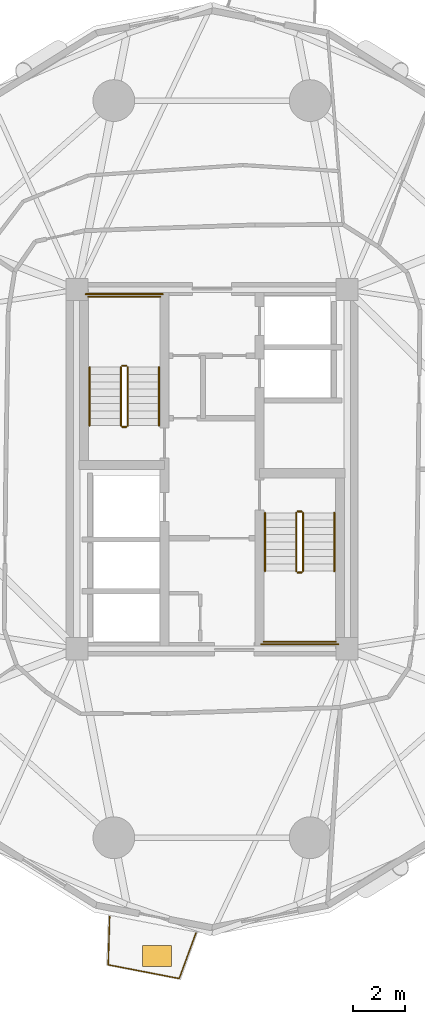
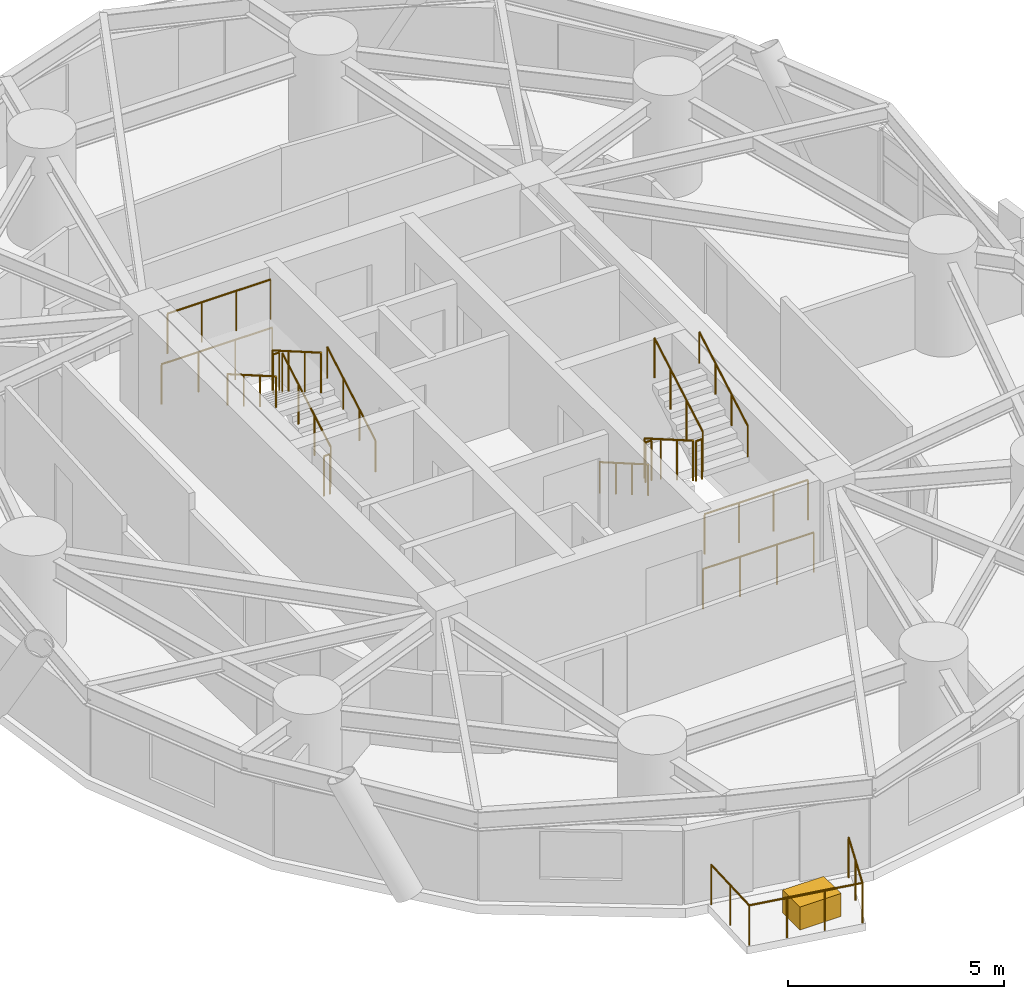
# One storey, part 13 of 15: 17 railings, 1 covering.
"""IFC4 building model written with IfcOpenShell, lengths in metres."""

from ifc_helpers import new_model, si_unit, direction, frame, origin, origin_2d, place, context, subcontext, project, spatial, rectangle, circle, extrude, source, transform, mapped, material, layer, layer_set, type_object, element, save


model = new_model("IFC4")

# Units and contexts
model_context = context("Model", 3, precision=1e-05, world=origin(), true_north=direction((0.0, 1.0)))
body_context = subcontext(model_context, "Body", "Model", "MODEL_VIEW")
ifc_project = project(units=[si_unit("LENGTHUNIT", "METRE"), si_unit("AREAUNIT", "SQUARE_METRE"), si_unit("VOLUMEUNIT", "CUBIC_METRE"), si_unit("PLANEANGLEUNIT", "RADIAN"), si_unit("MASSUNIT", "GRAM", prefix="KILO")], contexts=[model_context])

# Site, building, storey
site_placement = place(None, origin())
site = spatial("IfcSite", under=ifc_project, at=site_placement, CompositionType="ELEMENT")
building_placement = place(site_placement, origin())
building = spatial("IfcBuilding", under=site, at=building_placement, Name="Cununo Teusaquillo Station Towers", CompositionType="ELEMENT")
storey_placement = place(building_placement, frame((0.0, 0.0, 24.909912109375)))
storey = spatial("IfcBuildingStorey", under=building, at=storey_placement, Name="L06", CompositionType="ELEMENT", Elevation=24.909912109375)

# Railings
ifc_material_1 = material(Name="Anodised dark bronze aluminium EN AW-6063-T6", Category="aluminium")
railing_type_1 = type_object("IfcRailingType", Name="RL-EXT-GUARD", PredefinedType="GUARDRAIL", material=ifc_material_1)
railing_1_placement = place(storey_placement, frame((15.8828125, 6.72509765625, 0.0)))
element("IfcRailing", 1, at=railing_1_placement, inside=storey, type_object=railing_type_1, Name="L06 Tower A Balcony Guardrail C14", PredefinedType="GUARDRAIL", context=body_context, shape_type="SweptSolid", body=[
    extrude(circle(Radius=0.02392578125, at=origin_2d()), frame((0.0, 0.0, 1.1259765625), z_axis=(-0.344138729678, -0.938918811578, 0.0), x_axis=(0.938918811578, -0.344138729678, 0.0)), (0.0, 0.0, 1.0), 1.8564453125),
    extrude(circle(Radius=0.02392578125, at=origin_2d()), frame((-0.638916015625, -1.7431640625, 1.1259765625), z_axis=(-0.981830711399, 0.189758936954, 0.0), x_axis=(-0.189758936954, -0.981830711399, 0.0)), (0.0, 0.0, 1.0), 2.771240234375),
    extrude(circle(Radius=0.02392578125, at=origin_2d()), frame((-3.35986328125, -1.21728515625, 1.1259765625), z_axis=(0.030512102658, 0.999534397403, 0.0), x_axis=(-0.999534397403, 0.030512102658, 0.0)), (0.0, 0.0, 1.0), 1.8564453125),
    extrude(circle(Radius=0.02099609375, at=origin_2d()), origin(), (0.0, 0.0, 1.0), 1.101806640625),
    extrude(circle(Radius=0.02099609375, at=origin_2d()), frame((-0.3193359375, -0.87158203125, 0.0)), (0.0, 0.0, 1.0), 1.101806640625),
    extrude(circle(Radius=0.02099609375, at=origin_2d()), frame((-0.638916015625, -1.7431640625, 0.0)), (0.0, 0.0, 1.0), 1.101806640625),
    extrude(circle(Radius=0.02099609375, at=origin_2d()), frame((-1.5458984375, -1.56787109375, 0.0)), (0.0, 0.0, 1.0), 1.101806640625),
    extrude(circle(Radius=0.02099609375, at=origin_2d()), frame((-2.452880859375, -1.392578125, 0.0)), (0.0, 0.0, 1.0), 1.101806640625),
    extrude(circle(Radius=0.02099609375, at=origin_2d()), frame((-3.35986328125, -1.21728515625, 0.0)), (0.0, 0.0, 1.0), 1.101806640625),
    extrude(circle(Radius=0.02099609375, at=origin_2d()), frame((-3.33154296875, -0.28955078125, 0.0)), (0.0, 0.0, 1.0), 1.101806640625),
    extrude(circle(Radius=0.02099609375, at=origin_2d()), frame((-3.30322265625, 0.63818359375, 0.0)), (0.0, 0.0, 1.0), 1.101806640625),
])
ifc_material_2 = material(Name="Steel EN 10025-2 S355J2", Category="steel")
railing_type_2 = type_object("IfcRailingType", Name="RL-INT-GUARD", PredefinedType="GUARDRAIL", material=ifc_material_2)
railing_2_placement = place(storey_placement, frame((13.27001953125, 26.169921875, 0.161865234375)))
element("IfcRailing", 2, at=railing_2_placement, inside=storey, type_object=railing_type_2, Name="L06 ST-T1-1 stair guard 1", PredefinedType="GUARDRAIL", context=body_context, shape_type="SweptSolid", body=[
    extrude(circle(Radius=0.02392578125, at=origin_2d()), frame((0.0, 0.0, 1.1259765625), z_axis=(0.0, 0.866033117094, 0.499986639918), x_axis=(-1.0, 0.0, 0.0)), (0.0, 0.0, 1.0), 2.58642578125),
    extrude(circle(Radius=0.02099609375, at=origin_2d()), origin(), (0.0, 0.0, 1.0), 1.101806640625),
    extrude(circle(Radius=0.02099609375, at=origin_2d()), frame((0.0, 0.74658203125, 0.43115234375)), (0.0, 0.0, 1.0), 1.101806640625),
    extrude(circle(Radius=0.02099609375, at=origin_2d()), frame((0.0, 1.493408203125, 0.862060546875)), (0.0, 0.0, 1.0), 1.101806640625),
    extrude(circle(Radius=0.02099609375, at=origin_2d()), frame((0.0, 2.239990234375, 1.293212890625)), (0.0, 0.0, 1.0), 1.101806640625),
])
railing_3_placement = place(storey_placement, frame((13.219970703125, 28.4599609375, 1.455078125)))
element("IfcRailing", 3, at=railing_3_placement, inside=storey, type_object=railing_type_2, Name="L06 ST-T1-1 stair guard 2", PredefinedType="GUARDRAIL", context=body_context, shape_type="SweptSolid", body=[
    extrude(circle(Radius=0.02392578125, at=origin_2d()), frame((0.0, 0.0, 1.1259765625), z_axis=(-1.0, 0.0, 0.0), x_axis=(0.0, -1.0, 0.0)), (0.0, 0.0, 1.0), 0.159912109375),
    extrude(circle(Radius=0.02099609375, at=origin_2d()), origin(), (0.0, 0.0, 1.0), 1.101806640625),
    extrude(circle(Radius=0.02099609375, at=origin_2d()), frame((-0.159912109375, 0.0, 0.0)), (0.0, 0.0, 1.0), 1.101806640625),
])
railing_4_placement = place(storey_placement, frame((14.52001953125, 31.110107421875, 1.455078125)))
element("IfcRailing", 4, at=railing_4_placement, inside=storey, type_object=railing_type_2, Name="L06 ST-T1-1 stair guard 3", PredefinedType="GUARDRAIL", context=body_context, shape_type="SweptSolid", body=[
    extrude(circle(Radius=0.02392578125, at=origin_2d()), frame((0.0, 0.0, 1.1259765625), z_axis=(-1.0, 0.0, 0.0), x_axis=(0.0, -1.0, 0.0)), (0.0, 0.0, 1.0), 2.760009765625),
    extrude(circle(Radius=0.02099609375, at=origin_2d()), origin(), (0.0, 0.0, 1.0), 1.101806640625),
    extrude(circle(Radius=0.02099609375, at=origin_2d()), frame((-0.919921875, 0.0, 0.0)), (0.0, 0.0, 1.0), 1.101806640625),
    extrude(circle(Radius=0.02099609375, at=origin_2d()), frame((-1.840087890625, 0.0, 0.0)), (0.0, 0.0, 1.0), 1.101806640625),
    extrude(circle(Radius=0.02099609375, at=origin_2d()), frame((-2.760009765625, 0.0, 0.0)), (0.0, 0.0, 1.0), 1.101806640625),
])
railing_5_placement = place(storey_placement, frame((13.010009765625, 28.409912109375, 1.61669921875)))
element("IfcRailing", 5, at=railing_5_placement, inside=storey, type_object=railing_type_2, Name="L06 ST-T1-1 stair guard 4", PredefinedType="GUARDRAIL", context=body_context, shape_type="SweptSolid", body=[
    extrude(circle(Radius=0.02392578125, at=origin_2d()), frame((0.0, 0.0, 1.1259765625), z_axis=(0.0, -0.865992244559, 0.500057429065), x_axis=(1.0, 0.0, 0.0)), (0.0, 0.0, 1.0), 2.586669921875),
    extrude(circle(Radius=0.02099609375, at=origin_2d()), origin(), (0.0, 0.0, 1.0), 1.101806640625),
    extrude(circle(Radius=0.02099609375, at=origin_2d()), frame((0.0, -0.74658203125, 0.43115234375)), (0.0, 0.0, 1.0), 1.101806640625),
    extrude(circle(Radius=0.02099609375, at=origin_2d()), frame((0.0, -1.493408203125, 0.8623046875)), (0.0, 0.0, 1.0), 1.101806640625),
    extrude(circle(Radius=0.02099609375, at=origin_2d()), frame((0.0, -2.239990234375, 1.29345703125)), (0.0, 0.0, 1.0), 1.101806640625),
])
railing_6_placement = place(storey_placement, frame((13.219970703125, 26.1201171875, 0.0)))
element("IfcRailing", 6, at=railing_6_placement, inside=storey, type_object=railing_type_2, Name="L06 ST-T1-1 stair guard 5", PredefinedType="GUARDRAIL", context=body_context, shape_type="SweptSolid", body=[
    extrude(circle(Radius=0.02392578125, at=origin_2d()), frame((0.0, 0.0, 1.1259765625), z_axis=(-1.0, 0.0, 0.0), x_axis=(0.0, -1.0, 0.0)), (0.0, 0.0, 1.0), 0.159912109375),
    extrude(circle(Radius=0.02099609375, at=origin_2d()), origin(), (0.0, 0.0, 1.0), 1.101806640625),
    extrude(circle(Radius=0.02099609375, at=origin_2d()), frame((-0.159912109375, 0.0, 0.0)), (0.0, 0.0, 1.0), 1.101806640625),
])
railing_7_placement = place(storey_placement, frame((14.6201171875, 31.2099609375, 0.0)))
element("IfcRailing", 7, at=railing_7_placement, inside=storey, type_object=railing_type_2, Name="L06 ST-T1-1 stair guard 6", PredefinedType="GUARDRAIL", context=body_context, shape_type="SweptSolid", body=[
    extrude(circle(Radius=0.02392578125, at=origin_2d()), frame((0.0, 0.0, 1.1259765625), z_axis=(-1.0, 0.0, 0.0), x_axis=(0.0, -1.0, 0.0)), (0.0, 0.0, 1.0), 2.960205078125),
    extrude(circle(Radius=0.02099609375, at=origin_2d()), origin(), (0.0, 0.0, 1.0), 1.101806640625),
    extrude(circle(Radius=0.02099609375, at=origin_2d()), frame((-0.98681640625, 0.0, 0.0)), (0.0, 0.0, 1.0), 1.101806640625),
    extrude(circle(Radius=0.02099609375, at=origin_2d()), frame((-1.973388671875, 0.0, 0.0)), (0.0, 0.0, 1.0), 1.101806640625),
    extrude(circle(Radius=0.02099609375, at=origin_2d()), frame((-2.960205078125, 0.0, 0.0)), (0.0, 0.0, 1.0), 1.101806640625),
])
railing_8_placement = place(storey_placement, frame((19.72998046875, 22.830078125, 0.161865234375)))
element("IfcRailing", 8, at=railing_8_placement, inside=storey, type_object=railing_type_2, Name="L06 ST-T1-2 stair guard 1", PredefinedType="GUARDRAIL", context=body_context, shape_type="SweptSolid", body=[
    extrude(circle(Radius=0.02392578125, at=origin_2d()), frame((0.0, 0.0, 1.1259765625), z_axis=(0.0, -0.866033117094, 0.499986639918), x_axis=(1.0, 0.0, 0.0)), (0.0, 0.0, 1.0), 2.58642578125),
    extrude(circle(Radius=0.02099609375, at=origin_2d()), origin(), (0.0, 0.0, 1.0), 1.101806640625),
    extrude(circle(Radius=0.02099609375, at=origin_2d()), frame((0.0, -0.74658203125, 0.43115234375)), (0.0, 0.0, 1.0), 1.101806640625),
    extrude(circle(Radius=0.02099609375, at=origin_2d()), frame((0.0, -1.493408203125, 0.862060546875)), (0.0, 0.0, 1.0), 1.101806640625),
    extrude(circle(Radius=0.02099609375, at=origin_2d()), frame((0.0, -2.239990234375, 1.293212890625)), (0.0, 0.0, 1.0), 1.101806640625),
])
railing_9_placement = place(storey_placement, frame((19.780029296875, 20.5400390625, 1.455078125)))
element("IfcRailing", 9, at=railing_9_placement, inside=storey, type_object=railing_type_2, Name="L06 ST-T1-2 stair guard 2", PredefinedType="GUARDRAIL", context=body_context, shape_type="SweptSolid", body=[
    extrude(circle(Radius=0.02392578125, at=origin_2d()), frame((0.0, 0.0, 1.1259765625), z_axis=(1.0, 0.0, 0.0), x_axis=(0.0, 1.0, 0.0)), (0.0, 0.0, 1.0), 0.159912109375),
    extrude(circle(Radius=0.02099609375, at=origin_2d()), origin(), (0.0, 0.0, 1.0), 1.101806640625),
    extrude(circle(Radius=0.02099609375, at=origin_2d()), frame((0.159912109375, 0.0, 0.0)), (0.0, 0.0, 1.0), 1.101806640625),
])
railing_10_placement = place(storey_placement, frame((18.47998046875, 17.889892578125, 1.455078125)))
element("IfcRailing", 10, at=railing_10_placement, inside=storey, type_object=railing_type_2, Name="L06 ST-T1-2 stair guard 3", PredefinedType="GUARDRAIL", context=body_context, shape_type="SweptSolid", body=[
    extrude(circle(Radius=0.02392578125, at=origin_2d()), frame((0.0, 0.0, 1.1259765625), z_axis=(1.0, 0.0, 0.0), x_axis=(0.0, 1.0, 0.0)), (0.0, 0.0, 1.0), 2.760009765625),
    extrude(circle(Radius=0.02099609375, at=origin_2d()), origin(), (0.0, 0.0, 1.0), 1.101806640625),
    extrude(circle(Radius=0.02099609375, at=origin_2d()), frame((0.919921875, 0.0, 0.0)), (0.0, 0.0, 1.0), 1.101806640625),
    extrude(circle(Radius=0.02099609375, at=origin_2d()), frame((1.840087890625, 0.0, 0.0)), (0.0, 0.0, 1.0), 1.101806640625),
    extrude(circle(Radius=0.02099609375, at=origin_2d()), frame((2.760009765625, 0.0, 0.0)), (0.0, 0.0, 1.0), 1.101806640625),
])
railing_11_placement = place(storey_placement, frame((19.989990234375, 20.590087890625, 1.61669921875)))
element("IfcRailing", 11, at=railing_11_placement, inside=storey, type_object=railing_type_2, Name="L06 ST-T1-2 stair guard 4", PredefinedType="GUARDRAIL", context=body_context, shape_type="SweptSolid", body=[
    extrude(circle(Radius=0.02392578125, at=origin_2d()), frame((0.0, 0.0, 1.1259765625), z_axis=(0.0, 0.865992244559, 0.500057429065), x_axis=(-1.0, 0.0, 0.0)), (0.0, 0.0, 1.0), 2.586669921875),
    extrude(circle(Radius=0.02099609375, at=origin_2d()), origin(), (0.0, 0.0, 1.0), 1.101806640625),
    extrude(circle(Radius=0.02099609375, at=origin_2d()), frame((0.0, 0.74658203125, 0.43115234375)), (0.0, 0.0, 1.0), 1.101806640625),
    extrude(circle(Radius=0.02099609375, at=origin_2d()), frame((0.0, 1.493408203125, 0.8623046875)), (0.0, 0.0, 1.0), 1.101806640625),
    extrude(circle(Radius=0.02099609375, at=origin_2d()), frame((0.0, 2.239990234375, 1.29345703125)), (0.0, 0.0, 1.0), 1.101806640625),
])
railing_12_placement = place(storey_placement, frame((19.780029296875, 22.8798828125, 0.0)))
element("IfcRailing", 12, at=railing_12_placement, inside=storey, type_object=railing_type_2, Name="L06 ST-T1-2 stair guard 5", PredefinedType="GUARDRAIL", context=body_context, shape_type="SweptSolid", body=[
    extrude(circle(Radius=0.02392578125, at=origin_2d()), frame((0.0, 0.0, 1.1259765625), z_axis=(1.0, 0.0, 0.0), x_axis=(0.0, 1.0, 0.0)), (0.0, 0.0, 1.0), 0.159912109375),
    extrude(circle(Radius=0.02099609375, at=origin_2d()), origin(), (0.0, 0.0, 1.0), 1.101806640625),
    extrude(circle(Radius=0.02099609375, at=origin_2d()), frame((0.159912109375, 0.0, 0.0)), (0.0, 0.0, 1.0), 1.101806640625),
])
railing_13_placement = place(storey_placement, frame((18.3798828125, 17.7900390625, 0.0)))
element("IfcRailing", 13, at=railing_13_placement, inside=storey, type_object=railing_type_2, Name="L06 ST-T1-2 stair guard 6", PredefinedType="GUARDRAIL", context=body_context, shape_type="SweptSolid", body=[
    extrude(circle(Radius=0.02392578125, at=origin_2d()), frame((0.0, 0.0, 1.1259765625), z_axis=(1.0, 0.0, 0.0), x_axis=(0.0, 1.0, 0.0)), (0.0, 0.0, 1.0), 2.960205078125),
    extrude(circle(Radius=0.02099609375, at=origin_2d()), origin(), (0.0, 0.0, 1.0), 1.101806640625),
    extrude(circle(Radius=0.02099609375, at=origin_2d()), frame((0.98681640625, 0.0, 0.0)), (0.0, 0.0, 1.0), 1.101806640625),
    extrude(circle(Radius=0.02099609375, at=origin_2d()), frame((1.973388671875, 0.0, 0.0)), (0.0, 0.0, 1.0), 1.101806640625),
    extrude(circle(Radius=0.02099609375, at=origin_2d()), frame((2.960205078125, 0.0, 0.0)), (0.0, 0.0, 1.0), 1.101806640625),
])
ifc_material_3 = material(Name="Steel EN 10025-2 S355J2", Category="steel")
railing_type_3 = type_object("IfcRailingType", Name="RL-INT-HRAIL", PredefinedType="HANDRAIL", material=ifc_material_3)
railing_14_placement = place(storey_placement, frame((14.469970703125, 26.169921875, 0.161865234375)))
element("IfcRailing", 14, at=railing_14_placement, inside=storey, type_object=railing_type_3, Name="L06 ST-T1-1 stair handrail 1", PredefinedType="HANDRAIL", context=body_context, shape_type="SweptSolid", body=[
    extrude(circle(Radius=0.02392578125, at=origin_2d()), frame((0.0, 0.0, 0.8759765625), z_axis=(0.0, 0.866033117094, 0.499986639918), x_axis=(-1.0, 0.0, 0.0)), (0.0, 0.0, 1.0), 2.58642578125),
    extrude(circle(Radius=0.02099609375, at=origin_2d()), origin(), (0.0, 0.0, 1.0), 0.851806640625),
    extrude(circle(Radius=0.02099609375, at=origin_2d()), frame((0.0, 0.74658203125, 0.43115234375)), (0.0, 0.0, 1.0), 0.851806640625),
    extrude(circle(Radius=0.02099609375, at=origin_2d()), frame((0.0, 1.493408203125, 0.862060546875)), (0.0, 0.0, 1.0), 0.851806640625),
    extrude(circle(Radius=0.02099609375, at=origin_2d()), frame((0.0, 2.239990234375, 1.293212890625)), (0.0, 0.0, 1.0), 0.851806640625),
])
railing_15_placement = place(storey_placement, frame((11.81005859375, 28.409912109375, 1.61669921875)))
element("IfcRailing", 15, at=railing_15_placement, inside=storey, type_object=railing_type_3, Name="L06 ST-T1-1 stair handrail 2", PredefinedType="HANDRAIL", context=body_context, shape_type="SweptSolid", body=[
    extrude(circle(Radius=0.02392578125, at=origin_2d()), frame((0.0, 0.0, 0.8759765625), z_axis=(0.0, -0.865992244559, 0.500057429065), x_axis=(1.0, 0.0, 0.0)), (0.0, 0.0, 1.0), 2.586669921875),
    extrude(circle(Radius=0.02099609375, at=origin_2d()), origin(), (0.0, 0.0, 1.0), 0.851806640625),
    extrude(circle(Radius=0.02099609375, at=origin_2d()), frame((0.0, -0.74658203125, 0.43115234375)), (0.0, 0.0, 1.0), 0.851806640625),
    extrude(circle(Radius=0.02099609375, at=origin_2d()), frame((0.0, -1.493408203125, 0.8623046875)), (0.0, 0.0, 1.0), 0.851806640625),
    extrude(circle(Radius=0.02099609375, at=origin_2d()), frame((0.0, -2.239990234375, 1.29345703125)), (0.0, 0.0, 1.0), 0.851806640625),
])
railing_16_placement = place(storey_placement, frame((18.530029296875, 22.830078125, 0.161865234375)))
element("IfcRailing", 16, at=railing_16_placement, inside=storey, type_object=railing_type_3, Name="L06 ST-T1-2 stair handrail 1", PredefinedType="HANDRAIL", context=body_context, shape_type="SweptSolid", body=[
    extrude(circle(Radius=0.02392578125, at=origin_2d()), frame((0.0, 0.0, 0.8759765625), z_axis=(0.0, -0.866033117094, 0.499986639918), x_axis=(1.0, 0.0, 0.0)), (0.0, 0.0, 1.0), 2.58642578125),
    extrude(circle(Radius=0.02099609375, at=origin_2d()), origin(), (0.0, 0.0, 1.0), 0.851806640625),
    extrude(circle(Radius=0.02099609375, at=origin_2d()), frame((0.0, -0.74658203125, 0.43115234375)), (0.0, 0.0, 1.0), 0.851806640625),
    extrude(circle(Radius=0.02099609375, at=origin_2d()), frame((0.0, -1.493408203125, 0.862060546875)), (0.0, 0.0, 1.0), 0.851806640625),
    extrude(circle(Radius=0.02099609375, at=origin_2d()), frame((0.0, -2.239990234375, 1.293212890625)), (0.0, 0.0, 1.0), 0.851806640625),
])
railing_17_placement = place(storey_placement, frame((21.18994140625, 20.590087890625, 1.61669921875)))
element("IfcRailing", 17, at=railing_17_placement, inside=storey, type_object=railing_type_3, Name="L06 ST-T1-2 stair handrail 2", PredefinedType="HANDRAIL", context=body_context, shape_type="SweptSolid", body=[
    extrude(circle(Radius=0.02392578125, at=origin_2d()), frame((0.0, 0.0, 0.8759765625), z_axis=(0.0, 0.865992244559, 0.500057429065), x_axis=(-1.0, 0.0, 0.0)), (0.0, 0.0, 1.0), 2.586669921875),
    extrude(circle(Radius=0.02099609375, at=origin_2d()), origin(), (0.0, 0.0, 1.0), 0.851806640625),
    extrude(circle(Radius=0.02099609375, at=origin_2d()), frame((0.0, 0.74658203125, 0.43115234375)), (0.0, 0.0, 1.0), 0.851806640625),
    extrude(circle(Radius=0.02099609375, at=origin_2d()), frame((0.0, 1.493408203125, 0.8623046875)), (0.0, 0.0, 1.0), 0.851806640625),
    extrude(circle(Radius=0.02099609375, at=origin_2d()), frame((0.0, 2.239990234375, 1.29345703125)), (0.0, 0.0, 1.0), 0.851806640625),
])

# Covering
ifc_material_4 = material(Name="Architectural GRC planter shell and engineered root-zone substrate", Category="concrete")
ifc_layer = layer(ifc_material_4, 0.64990234375)
ifc_layer_set = layer_set([ifc_layer], Name="Architectural GRC planter shell and engineered root-zone substrate")
covering_type = type_object("IfcCoveringType", Name="COV-TREE-PLANTER", PredefinedType="CLADDING", material=ifc_layer_set)
shared_shape = source(origin(), body_context, "Body", "SweptSolid", [
    extrude(rectangle(XDim=1.10009765625, YDim=0.800048828125, at=origin_2d()), origin(), (0.0, 0.0, 1.0), 0.64990234375),
])
covering_placement = place(storey_placement, frame((14.392333984375, 5.8486328125, 0.000244140625), z_axis=(0.0, 0.0, 1.0), x_axis=(1.0, 0.0, 0.0)))
element("IfcCovering", 18, at=covering_placement, inside=storey, type_object=covering_type, Name="L06 Tower A Balcony Tree PLANTER C14", PredefinedType="CLADDING", context=body_context, shape_type="MappedRepresentation", body=[
    mapped(shared_shape, transform((0.0, 0.0, 0.0), x_axis=(1.0, 0.0, 0.0), y_axis=(0.0, 1.0, 0.0), z_axis=(0.0, 0.0, 1.0), scale=1.0)),
])

save(model, "model.ifc")
